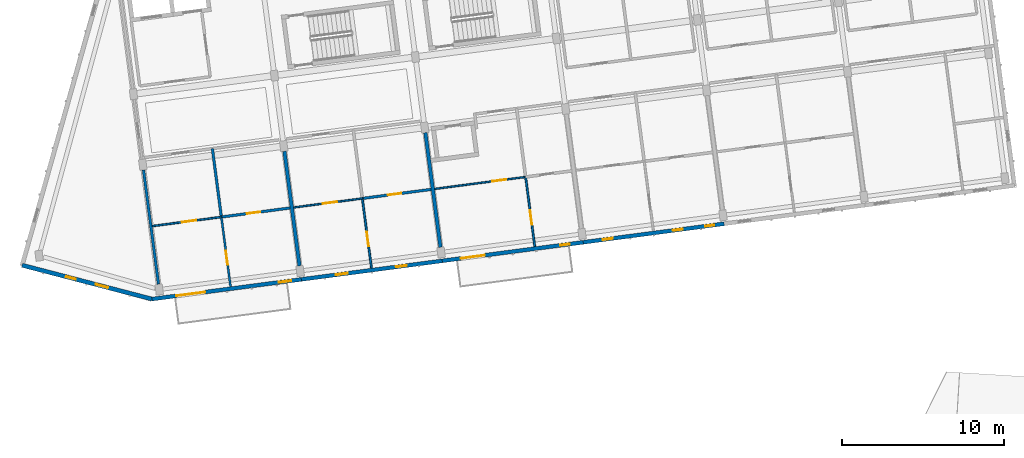
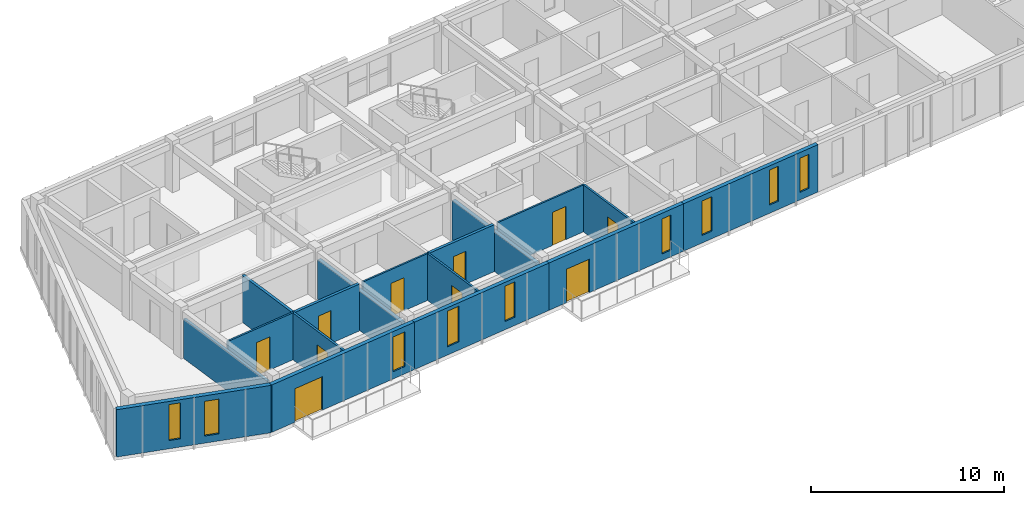
# One storey, part 11 of 34: 17 walls, 10 doors, 9 windows, 19 openings.
"""IFC4 building model written with IfcOpenShell, lengths in metres."""

from ifc_helpers import new_model, si_unit, direction, frame, frame_2d, origin, place, context, subcontext, project, spatial, rectangle, extrude, material, layer, layer_set, type_object, element, fill, save


model = new_model("IFC4")

# Units and contexts
model_context = context("Model", 3, precision=1e-05, world=origin(), true_north=direction((0.0, 1.0)))
body_context = subcontext(model_context, "Body", "Model", "MODEL_VIEW")
ifc_project = project(units=[si_unit("LENGTHUNIT", "METRE"), si_unit("AREAUNIT", "SQUARE_METRE"), si_unit("VOLUMEUNIT", "CUBIC_METRE"), si_unit("PLANEANGLEUNIT", "RADIAN"), si_unit("MASSUNIT", "GRAM", prefix="KILO")], contexts=[model_context])

# Site, building, storey
site_placement = place(None, origin())
site = spatial("IfcSite", under=ifc_project, at=site_placement, CompositionType="ELEMENT")
building_placement = place(site_placement, origin())
building = spatial("IfcBuilding", under=site, at=building_placement, Name="Kestramere Prow Commons", CompositionType="ELEMENT")
storey_placement = place(building_placement, frame((0.0, 0.0, 34.39990234375)))
storey = spatial("IfcBuildingStorey", under=building, at=storey_placement, Name="L10", CompositionType="ELEMENT", Elevation=34.39990234375)

# Wall, openings, windows
ifc_material_1 = material(Name="Weathered Zinc-Titanium Standing-Seam Cladding")
ifc_layer_1 = layer(ifc_material_1, 0.260009765625)
ifc_layer_set_1 = layer_set([ifc_layer_1], Name="Weathered Zinc-Titanium Standing-Seam Cladding")
wall_type_1 = type_object("IfcWallType", Name="EW-PROW-260", PredefinedType="SOLIDWALL", material=ifc_layer_set_1)
wall_1_placement = place(storey_placement, frame((10.748046875, 71.410888671875, 0.0), z_axis=(0.0, 0.0, 1.0), x_axis=(-0.967694955113, 0.252123925577, 0.0)))
wall_1 = element("IfcWall", 1, at=wall_1_placement, inside=storey, type_object=wall_type_1, Name="Block A L10 PRW-S Facet Wall", PredefinedType="SOLIDWALL", context=body_context, shape_type="SweptSolid", body=[
    extrude(rectangle(XDim=8.305419921875, YDim=0.260009765625, at=frame_2d((4.15283203125, 0.0))), origin(), (0.0, 0.0, 1.0), 3.0),
])
opening_1_placement = place(wall_1_placement, frame((2.81005859375, 0.0, 0.449951171875)))
opening_1 = element("IfcOpeningElement", 2, at=opening_1_placement, cuts=wall_1, Name="Opening WN-11", PredefinedType="OPENING", context=body_context, shape_type="SweptSolid", body=[
    extrude(rectangle(XDim=0.780029296875, YDim=2.199951171875, at=frame_2d((0.39013671875, 1.10009765625))), frame((0.0, 0.14501953125, 0.0), z_axis=(0.0, -1.0, 0.0), x_axis=(1.0, 0.0, 0.0)), (0.0, 0.0, 1.0), 0.2900390625),
])
opening_2_placement = place(wall_1_placement, frame((4.875244140625, 0.0, 0.52001953125)))
opening_2 = element("IfcOpeningElement", 3, at=opening_2_placement, cuts=wall_1, Name="Opening WN-03", PredefinedType="OPENING", context=body_context, shape_type="SweptSolid", body=[
    extrude(rectangle(XDim=0.6201171875, YDim=2.280029296875, at=frame_2d((0.31005859375, 1.14013671875))), frame((0.0, 0.14501953125, 0.0), z_axis=(0.0, -1.0, 0.0), x_axis=(1.0, 0.0, 0.0)), (0.0, 0.0, 1.0), 0.2900390625),
])
ifc_material_2 = material(Name="Low-E Laminated Double Glazing", Category="glass")
window_type_1 = type_object("IfcWindowType", Name="WN-NAR-620A", PartitioningType="SINGLE_PANEL", PredefinedType="WINDOW", material=ifc_material_2)
window_1_placement = place(opening_2_placement, origin())
window_1 = element("IfcWindow", 4, at=window_1_placement, inside=storey, type_object=window_type_1, Name="WN-A-L10-PRW-S-1", OverallHeight=2.280029296875, OverallWidth=0.6201171875, PartitioningType="SINGLE_PANEL", PredefinedType="WINDOW", context=body_context, shape_type="SweptSolid", body=[
    extrude(rectangle(XDim=0.6201171875, YDim=2.280029296875, at=frame_2d((0.31005859375, 1.14013671875))), frame((0.0, 0.030029296875, 0.0), z_axis=(0.0, -1.0, 0.0), x_axis=(1.0, 0.0, 0.0)), (0.0, 0.0, 1.0), 0.06005859375),
])
fill(opening_2, window_1)
window_type_2 = type_object("IfcWindowType", Name="WN-NAR-780A", PartitioningType="SINGLE_PANEL", PredefinedType="WINDOW", material=ifc_material_2)
window_2_placement = place(opening_1_placement, origin())
window_2 = element("IfcWindow", 5, at=window_2_placement, inside=storey, type_object=window_type_2, Name="WN-A-L10-PRW-S-0", OverallHeight=2.199951171875, OverallWidth=0.780029296875, PartitioningType="SINGLE_PANEL", PredefinedType="WINDOW", context=body_context, shape_type="SweptSolid", body=[
    extrude(rectangle(XDim=0.780029296875, YDim=2.199951171875, at=frame_2d((0.39013671875, 1.10009765625))), frame((0.0, 0.030029296875, 0.0), z_axis=(0.0, -1.0, 0.0), x_axis=(1.0, 0.0, 0.0)), (0.0, 0.0, 1.0), 0.06005859375),
])
fill(opening_1, window_2)

# Wall, openings, door, window
ifc_material_3 = material(Name="Fluoropolymer Standing-Seam Zinc-Aluminium Cladding", Category="aluminium")
ifc_layer_2 = layer(ifc_material_3, 0.239990234375)
ifc_layer_set_2 = layer_set([ifc_layer_2], Name="Fluoropolymer Standing-Seam Zinc-Aluminium Cladding")
wall_type_2 = type_object("IfcWallType", Name="EW-SEAM-240", PredefinedType="SOLIDWALL", material=ifc_layer_set_2)
wall_2_placement = place(storey_placement, frame((19.9931640625, 72.628173828125, 0.0), z_axis=(0.0, 0.0, 1.0), x_axis=(-0.991442885224, -0.130541201693, 0.0)))
wall_2 = element("IfcWall", 6, at=wall_2_placement, inside=storey, type_object=wall_type_2, Name="Block A L10 South Standing-Seam Wall 1", PredefinedType="SOLIDWALL", context=body_context, shape_type="SweptSolid", body=[
    extrude(rectangle(XDim=9.324951171875, YDim=0.239990234375, at=frame_2d((4.66259765625, 0.0))), origin(), (0.0, 0.0, 1.0), 3.0),
])
opening_3_placement = place(wall_2_placement, frame((5.9970703125, 0.0, 0.0)))
opening_3 = element("IfcOpeningElement", 7, at=opening_3_placement, cuts=wall_2, Name="Opening GD-BAL-02", PredefinedType="OPENING", context=body_context, shape_type="SweptSolid", body=[
    extrude(rectangle(XDim=1.800048828125, YDim=2.1201171875, at=frame_2d((0.89990234375, 1.06005859375))), frame((0.0, 0.135009765625, 0.0), z_axis=(0.0, -1.0, 0.0), x_axis=(1.0, 0.0, 0.0)), (0.0, 0.0, 1.0), 0.27001953125),
])
opening_4_placement = place(wall_2_placement, frame((0.6298828125, 0.0, 0.4599609375)))
opening_4 = element("IfcOpeningElement", 8, at=opening_4_placement, cuts=wall_2, Name="Opening WN-11", PredefinedType="OPENING", context=body_context, shape_type="SweptSolid", body=[
    extrude(rectangle(XDim=0.780029296875, YDim=2.199951171875, at=frame_2d((0.39013671875, 1.10009765625))), frame((0.0, 0.135009765625, 0.0), z_axis=(0.0, -1.0, 0.0), x_axis=(1.0, 0.0, 0.0)), (0.0, 0.0, 1.0), 0.27001953125),
])
ifc_material_4 = material(Name="Thermally-Broken Anodised Aluminium Glazed", Category="aluminium")
door_type_1 = type_object("IfcDoorType", Name="GD-BAL-1800", OperationType="SLIDING_TO_LEFT", PredefinedType="DOOR", material=ifc_material_4)
door_1_placement = place(opening_3_placement, origin())
door_1 = element("IfcDoor", 9, at=door_1_placement, inside=storey, type_object=door_type_1, Name="Block A L10 Balcony Door 1", OperationType="SLIDING_TO_LEFT", OverallHeight=2.1201171875, OverallWidth=1.800048828125, PredefinedType="DOOR", context=body_context, shape_type="SweptSolid", body=[
    extrude(rectangle(XDim=1.800048828125, YDim=2.1201171875, at=frame_2d((0.89990234375, 1.06005859375))), frame((0.0, 0.02490234375, 0.0), z_axis=(0.0, -1.0, 0.0), x_axis=(1.0, 0.0, 0.0)), (0.0, 0.0, 1.0), 0.050048828125),
])
fill(opening_3, door_1)
window_3_placement = place(opening_4_placement, origin())
window_3 = element("IfcWindow", 10, at=window_3_placement, inside=storey, type_object=window_type_2, Name="WN-A-L10-SR-0", OverallHeight=2.199951171875, OverallWidth=0.780029296875, PartitioningType="SINGLE_PANEL", PredefinedType="WINDOW", context=body_context, shape_type="SweptSolid", body=[
    extrude(rectangle(XDim=0.780029296875, YDim=2.199951171875, at=frame_2d((0.39013671875, 1.10009765625))), frame((0.0, 0.030029296875, 0.0), z_axis=(0.0, -1.0, 0.0), x_axis=(1.0, 0.0, 0.0)), (0.0, 0.0, 1.0), 0.06005859375),
])
fill(opening_4, window_3)

# Wall, openings, windows
wall_3_placement = place(storey_placement, frame((28.718017578125, 73.77685546875, 0.0), z_axis=(0.0, 0.0, 1.0), x_axis=(-0.991444377792, -0.130529865336, 0.0)))
wall_3 = element("IfcWall", 11, at=wall_3_placement, inside=storey, type_object=wall_type_2, Name="Block A L10 South Standing-Seam Wall 2", PredefinedType="SOLIDWALL", context=body_context, shape_type="SweptSolid", body=[
    extrude(rectangle(XDim=8.800048828125, YDim=0.239990234375, at=frame_2d((4.39990234375, 0.0))), origin(), (0.0, 0.0, 1.0), 3.0),
])
opening_5_placement = place(wall_3_placement, frame((2.211181640625, 0.0, 0.52001953125)))
opening_5 = element("IfcOpeningElement", 12, at=opening_5_placement, cuts=wall_3, Name="Opening WN-06", PredefinedType="OPENING", context=body_context, shape_type="SweptSolid", body=[
    extrude(rectangle(XDim=0.679931640625, YDim=2.239990234375, at=frame_2d((0.33984375, 1.1201171875))), frame((0.0, 0.135009765625, 0.0), z_axis=(0.0, -1.0, 0.0), x_axis=(1.0, 0.0, 0.0)), (0.0, 0.0, 1.0), 0.27001953125),
])
opening_6_placement = place(wall_3_placement, frame((5.89794921875, 0.0, 0.52001953125)))
opening_6 = element("IfcOpeningElement", 13, at=opening_6_placement, cuts=wall_3, Name="Opening WN-09", PredefinedType="OPENING", context=body_context, shape_type="SweptSolid", body=[
    extrude(rectangle(XDim=0.739990234375, YDim=2.260009765625, at=frame_2d((0.3701171875, 1.1298828125))), frame((0.0, 0.135009765625, 0.0), z_axis=(0.0, -1.0, 0.0), x_axis=(1.0, 0.0, 0.0)), (0.0, 0.0, 1.0), 0.27001953125),
])
window_type_3 = type_object("IfcWindowType", Name="WN-NAR-680A", PartitioningType="SINGLE_PANEL", PredefinedType="WINDOW", material=ifc_material_2)
window_4_placement = place(opening_5_placement, origin())
window_4 = element("IfcWindow", 14, at=window_4_placement, inside=storey, type_object=window_type_3, Name="WN-A-L10-S-1-00", OverallHeight=2.239990234375, OverallWidth=0.679931640625, PartitioningType="SINGLE_PANEL", PredefinedType="WINDOW", context=body_context, shape_type="SweptSolid", body=[
    extrude(rectangle(XDim=0.679931640625, YDim=2.239990234375, at=frame_2d((0.33984375, 1.1201171875))), frame((0.0, 0.030029296875, 0.0), z_axis=(0.0, -1.0, 0.0), x_axis=(1.0, 0.0, 0.0)), (0.0, 0.0, 1.0), 0.06005859375),
])
fill(opening_5, window_4)
window_type_4 = type_object("IfcWindowType", Name="WN-NAR-740A", PartitioningType="SINGLE_PANEL", PredefinedType="WINDOW", material=ifc_material_2)
window_5_placement = place(opening_6_placement, origin())
window_5 = element("IfcWindow", 15, at=window_5_placement, inside=storey, type_object=window_type_4, Name="WN-A-L10-S-1-10", OverallHeight=2.260009765625, OverallWidth=0.739990234375, PartitioningType="SINGLE_PANEL", PredefinedType="WINDOW", context=body_context, shape_type="SweptSolid", body=[
    extrude(rectangle(XDim=0.739990234375, YDim=2.260009765625, at=frame_2d((0.3701171875, 1.1298828125))), frame((0.0, 0.030029296875, 0.0), z_axis=(0.0, -1.0, 0.0), x_axis=(1.0, 0.0, 0.0)), (0.0, 0.0, 1.0), 0.06005859375),
])
fill(opening_6, window_5)

# Wall, openings, door, window
wall_4_placement = place(storey_placement, frame((37.442626953125, 74.92529296875, 0.0), z_axis=(0.0, 0.0, 1.0), x_axis=(-0.991447495205, -0.130506184728, 0.0)))
wall_4 = element("IfcWall", 16, at=wall_4_placement, inside=storey, type_object=wall_type_2, Name="Block A L10 South Standing-Seam Wall 3", PredefinedType="SOLIDWALL", context=body_context, shape_type="SweptSolid", body=[
    extrude(rectangle(XDim=8.7998046875, YDim=0.239990234375, at=frame_2d((4.39990234375, 0.0))), origin(), (0.0, 0.0, 1.0), 3.0),
])
opening_7_placement = place(wall_4_placement, frame((6.14697265625, 0.0, 0.0)))
opening_7 = element("IfcOpeningElement", 17, at=opening_7_placement, cuts=wall_4, Name="Opening GD-BAL-01", PredefinedType="OPENING", context=body_context, shape_type="SweptSolid", body=[
    extrude(rectangle(XDim=1.5, YDim=2.1201171875, at=frame_2d((0.75, 1.06005859375))), frame((0.0, 0.135009765625, 0.0), z_axis=(0.0, -1.0, 0.0), x_axis=(1.0, 0.0, 0.0)), (0.0, 0.0, 1.0), 0.27001953125),
])
opening_8_placement = place(wall_4_placement, frame((0.830078125, 0.0, 0.419921875)))
opening_8 = element("IfcOpeningElement", 18, at=opening_8_placement, cuts=wall_4, Name="Opening WN-02", PredefinedType="OPENING", context=body_context, shape_type="SweptSolid", body=[
    extrude(rectangle(XDim=0.60009765625, YDim=2.219970703125, at=frame_2d((0.300048828125, 1.10986328125))), frame((0.0, 0.135009765625, 0.0), z_axis=(0.0, -1.0, 0.0), x_axis=(1.0, 0.0, 0.0)), (0.0, 0.0, 1.0), 0.27001953125),
])
door_type_2 = type_object("IfcDoorType", Name="GD-BAL-1500", OperationType="SLIDING_TO_RIGHT", PredefinedType="DOOR", material=ifc_material_4)
door_2_placement = place(opening_7_placement, origin())
door_2 = element("IfcDoor", 19, at=door_2_placement, inside=storey, type_object=door_type_2, Name="Block A L10 Balcony Door 3", OperationType="SLIDING_TO_RIGHT", OverallHeight=2.1201171875, OverallWidth=1.5, PredefinedType="DOOR", context=body_context, shape_type="SweptSolid", body=[
    extrude(rectangle(XDim=1.5, YDim=2.1201171875, at=frame_2d((0.75, 1.06005859375))), frame((0.0, 0.02490234375, 0.0), z_axis=(0.0, -1.0, 0.0), x_axis=(1.0, 0.0, 0.0)), (0.0, 0.0, 1.0), 0.050048828125),
])
fill(opening_7, door_2)
window_type_5 = type_object("IfcWindowType", Name="WN-NAR-600A", PartitioningType="SINGLE_PANEL", PredefinedType="WINDOW", material=ifc_material_2)
window_6_placement = place(opening_8_placement, origin())
window_6 = element("IfcWindow", 20, at=window_6_placement, inside=storey, type_object=window_type_5, Name="WN-A-L10-SR-2", OverallHeight=2.219970703125, OverallWidth=0.60009765625, PartitioningType="SINGLE_PANEL", PredefinedType="WINDOW", context=body_context, shape_type="SweptSolid", body=[
    extrude(rectangle(XDim=0.60009765625, YDim=2.219970703125, at=frame_2d((0.300048828125, 1.10986328125))), frame((0.0, 0.030029296875, 0.0), z_axis=(0.0, -1.0, 0.0), x_axis=(1.0, 0.0, 0.0)), (0.0, 0.0, 1.0), 0.06005859375),
])
fill(opening_8, window_6)

# Wall, openings, windows
wall_5_placement = place(storey_placement, frame((46.16748046875, 76.073974609375, 0.0), z_axis=(0.0, 0.0, 1.0), x_axis=(-0.991444377792, -0.130529865336, 0.0)))
wall_5 = element("IfcWall", 21, at=wall_5_placement, inside=storey, type_object=wall_type_2, Name="Block A L10 South Standing-Seam Wall 4", PredefinedType="SOLIDWALL", context=body_context, shape_type="SweptSolid", body=[
    extrude(rectangle(XDim=8.800048828125, YDim=0.239990234375, at=frame_2d((4.39990234375, 0.0))), origin(), (0.0, 0.0, 1.0), 3.0),
])
opening_9_placement = place(wall_5_placement, frame((0.610107421875, 0.0, 0.47998046875)))
opening_9 = element("IfcOpeningElement", 22, at=opening_9_placement, cuts=wall_5, Name="Opening WN-01", PredefinedType="OPENING", context=body_context, shape_type="SweptSolid", body=[
    extrude(rectangle(XDim=0.580078125, YDim=2.159912109375, at=frame_2d((0.2900390625, 1.080078125))), frame((0.0, 0.135009765625, 0.0), z_axis=(0.0, -1.0, 0.0), x_axis=(1.0, 0.0, 0.0)), (0.0, 0.0, 1.0), 0.27001953125),
])
opening_10_placement = place(wall_5_placement, frame((2.595947265625, 0.0, 0.52001953125)))
opening_10 = element("IfcOpeningElement", 23, at=opening_10_placement, cuts=wall_5, Name="Opening WN-02", PredefinedType="OPENING", context=body_context, shape_type="SweptSolid", body=[
    extrude(rectangle(XDim=0.60009765625, YDim=2.219970703125, at=frame_2d((0.300048828125, 1.10986328125))), frame((0.0, 0.135009765625, 0.0), z_axis=(0.0, -1.0, 0.0), x_axis=(1.0, 0.0, 0.0)), (0.0, 0.0, 1.0), 0.27001953125),
])
opening_11_placement = place(wall_5_placement, frame((6.948974609375, 0.0, 0.47998046875)))
opening_11 = element("IfcOpeningElement", 24, at=opening_11_placement, cuts=wall_5, Name="Opening WN-04", PredefinedType="OPENING", context=body_context, shape_type="SweptSolid", body=[
    extrude(rectangle(XDim=0.639892578125, YDim=2.179931640625, at=frame_2d((0.31982421875, 1.08984375))), frame((0.0, 0.135009765625, 0.0), z_axis=(0.0, -1.0, 0.0), x_axis=(1.0, 0.0, 0.0)), (0.0, 0.0, 1.0), 0.27001953125),
])
window_type_6 = type_object("IfcWindowType", Name="WN-NAR-580A", PartitioningType="SINGLE_PANEL", PredefinedType="WINDOW", material=ifc_material_2)
window_7_placement = place(opening_9_placement, origin())
window_7 = element("IfcWindow", 25, at=window_7_placement, inside=storey, type_object=window_type_6, Name="WN-A-L10-S-3-00", OverallHeight=2.159912109375, OverallWidth=0.580078125, PartitioningType="SINGLE_PANEL", PredefinedType="WINDOW", context=body_context, shape_type="SweptSolid", body=[
    extrude(rectangle(XDim=0.580078125, YDim=2.159912109375, at=frame_2d((0.2900390625, 1.080078125))), frame((0.0, 0.030029296875, 0.0), z_axis=(0.0, -1.0, 0.0), x_axis=(1.0, 0.0, 0.0)), (0.0, 0.0, 1.0), 0.06005859375),
])
fill(opening_9, window_7)
window_8_placement = place(opening_10_placement, origin())
window_8 = element("IfcWindow", 26, at=window_8_placement, inside=storey, type_object=window_type_5, Name="WN-A-L10-S-3-01", OverallHeight=2.219970703125, OverallWidth=0.60009765625, PartitioningType="SINGLE_PANEL", PredefinedType="WINDOW", context=body_context, shape_type="SweptSolid", body=[
    extrude(rectangle(XDim=0.60009765625, YDim=2.219970703125, at=frame_2d((0.300048828125, 1.10986328125))), frame((0.0, 0.030029296875, 0.0), z_axis=(0.0, -1.0, 0.0), x_axis=(1.0, 0.0, 0.0)), (0.0, 0.0, 1.0), 0.06005859375),
])
fill(opening_10, window_8)
window_type_7 = type_object("IfcWindowType", Name="WN-NAR-640A", PartitioningType="SINGLE_PANEL", PredefinedType="WINDOW", material=ifc_material_2)
window_9_placement = place(opening_11_placement, origin())
window_9 = element("IfcWindow", 27, at=window_9_placement, inside=storey, type_object=window_type_7, Name="WN-A-L10-S-3-10", OverallHeight=2.179931640625, OverallWidth=0.639892578125, PartitioningType="SINGLE_PANEL", PredefinedType="WINDOW", context=body_context, shape_type="SweptSolid", body=[
    extrude(rectangle(XDim=0.639892578125, YDim=2.179931640625, at=frame_2d((0.31982421875, 1.08984375))), frame((0.0, 0.030029296875, 0.0), z_axis=(0.0, -1.0, 0.0), x_axis=(1.0, 0.0, 0.0)), (0.0, 0.0, 1.0), 0.06005859375),
])
fill(opening_11, window_9)

# Wall, opening, door
ifc_material_5 = material(Name="Gypsum Acoustic Drywall")
ifc_layer_3 = layer(ifc_material_5, 0.10009765625)
ifc_layer_set_3 = layer_set([ifc_layer_3], Name="Gypsum Acoustic Drywall")
wall_type_3 = type_object("IfcWallType", Name="W-PART-100", PredefinedType="PARTITIONING", material=ifc_layer_set_3)
wall_6_placement = place(storey_placement, frame((19.523193359375, 77.079833984375, 0.0), z_axis=(0.0, 0.0, 1.0), x_axis=(0.991444014242, 0.130532626667, 0.0)))
wall_6 = element("IfcWall", 28, at=wall_6_placement, inside=storey, type_object=wall_type_3, Name="Interior Partition PW-A-L10-MIDS1-1", PredefinedType="PARTITIONING", context=body_context, shape_type="SweptSolid", body=[
    extrude(rectangle(XDim=4.284912109375, YDim=0.10009765625, at=frame_2d((2.142578125, 0.0))), origin(), (0.0, 0.0, 1.0), 2.97021484375),
])
opening_12_placement = place(wall_6_placement, frame((1.824951171875, 0.0, 0.0)))
opening_12 = element("IfcOpeningElement", 29, at=opening_12_placement, cuts=wall_6, Name="Opening ID-10", PredefinedType="OPENING", context=body_context, shape_type="SweptSolid", body=[
    extrude(rectangle(XDim=0.8798828125, YDim=2.10009765625, at=frame_2d((0.43994140625, 1.050048828125))), frame((0.0, 0.06494140625, 0.0), z_axis=(0.0, -1.0, 0.0), x_axis=(1.0, 0.0, 0.0)), (0.0, 0.0, 1.0), 0.130126953125),
])
ifc_material_6 = material(Name="Engineered Timber Bedroom Door", Category="wood")
door_type_3 = type_object("IfcDoorType", Name="D-RM-03", OperationType="NOTDEFINED", PredefinedType="DOOR", material=ifc_material_6)
door_3_placement = place(opening_12_placement, origin())
door_3 = element("IfcDoor", 30, at=door_3_placement, inside=storey, type_object=door_type_3, Name="Interior Door DR-A-L10-KL-S1", OperationType="SINGLE_SWING_RIGHT", OverallHeight=2.10009765625, OverallWidth=0.8798828125, PredefinedType="DOOR", context=body_context, shape_type="SweptSolid", body=[
    extrude(rectangle(XDim=0.8798828125, YDim=2.10009765625, at=frame_2d((0.43994140625, 1.050048828125))), frame((0.0, 0.02490234375, 0.0), z_axis=(0.0, -1.0, 0.0), x_axis=(1.0, 0.0, 0.0)), (0.0, 0.0, 1.0), 0.050048828125),
])
fill(opening_12, door_3)

wall_7_placement = place(storey_placement, frame((28.247802734375, 78.228515625, 0.0), z_axis=(0.0, 0.0, 1.0), x_axis=(0.991443905556, 0.130533452169, 0.0)))
wall_7 = element("IfcWall", 31, at=wall_7_placement, inside=storey, type_object=wall_type_3, Name="Interior Partition PW-A-L10-MIDS1-2", PredefinedType="PARTITIONING", context=body_context, shape_type="SweptSolid", body=[
    extrude(rectangle(XDim=5.68017578125, YDim=0.10009765625, at=frame_2d((2.840087890625, 0.0))), origin(), (0.0, 0.0, 1.0), 2.97021484375),
])
opening_13_placement = place(wall_7_placement, frame((3.594970703125, 0.0, 0.0)))
opening_13 = element("IfcOpeningElement", 32, at=opening_13_placement, cuts=wall_7, Name="Opening ID-10", PredefinedType="OPENING", context=body_context, shape_type="SweptSolid", body=[
    extrude(rectangle(XDim=0.8798828125, YDim=2.10009765625, at=frame_2d((0.43994140625, 1.050048828125))), frame((0.0, 0.06494140625, 0.0), z_axis=(0.0, -1.0, 0.0), x_axis=(1.0, 0.0, 0.0)), (0.0, 0.0, 1.0), 0.130126953125),
])
door_4_placement = place(opening_13_placement, origin())
door_4 = element("IfcDoor", 33, at=door_4_placement, inside=storey, type_object=door_type_3, Name="Interior Door DR-A-L10-KL-S2", OperationType="SINGLE_SWING_RIGHT", OverallHeight=2.10009765625, OverallWidth=0.8798828125, PredefinedType="DOOR", context=body_context, shape_type="SweptSolid", body=[
    extrude(rectangle(XDim=0.8798828125, YDim=2.10009765625, at=frame_2d((0.43994140625, 1.050048828125))), frame((0.0, 0.02490234375, 0.0), z_axis=(0.0, -1.0, 0.0), x_axis=(1.0, 0.0, 0.0)), (0.0, 0.0, 1.0), 0.050048828125),
])
fill(opening_13, door_4)

ifc_layer_4 = layer(ifc_material_5, 0.110107421875)
ifc_layer_set_4 = layer_set([ifc_layer_4], Name="Gypsum Acoustic Drywall")
wall_type_4 = type_object("IfcWallType", Name="W-PART-110", PredefinedType="PARTITIONING", material=ifc_layer_set_4)
wall_8_placement = place(storey_placement, frame((10.773681640625, 75.927978515625, 0.0), z_axis=(0.0, 0.0, 1.0), x_axis=(0.991447160489, 0.130508727519, 0.0)))
wall_8 = element("IfcWall", 34, at=wall_8_placement, inside=storey, type_object=wall_type_4, Name="Interior Partition PW-A-L10-MIDS1-0", PredefinedType="PARTITIONING", context=body_context, shape_type="SweptSolid", body=[
    extrude(rectangle(XDim=4.31005859375, YDim=0.110107421875, at=frame_2d((2.155029296875, 0.0))), origin(), (0.0, 0.0, 1.0), 2.97021484375),
])
opening_14_placement = place(wall_8_placement, frame((1.85009765625, 0.0, 0.0)))
opening_14 = element("IfcOpeningElement", 35, at=opening_14_placement, cuts=wall_8, Name="Opening ID-08", PredefinedType="OPENING", context=body_context, shape_type="SweptSolid", body=[
    extrude(rectangle(XDim=0.89990234375, YDim=2.10009765625, at=frame_2d((0.449951171875, 1.050048828125))), frame((0.0, 0.070068359375, 0.0), z_axis=(0.0, -1.0, 0.0), x_axis=(1.0, 0.0, 0.0)), (0.0, 0.0, 1.0), 0.14013671875),
])
ifc_material_7 = material(Name="Engineered Timber Flush Door", Category="wood")
door_type_4 = type_object("IfcDoorType", Name="D-RM-01", OperationType="NOTDEFINED", PredefinedType="DOOR", material=ifc_material_7)
door_5_placement = place(opening_14_placement, origin())
door_5 = element("IfcDoor", 36, at=door_5_placement, inside=storey, type_object=door_type_4, Name="Interior Door DR-A-L10-KL-S0", OperationType="SINGLE_SWING_RIGHT", OverallHeight=2.10009765625, OverallWidth=0.89990234375, PredefinedType="DOOR", context=body_context, shape_type="SweptSolid", body=[
    extrude(rectangle(XDim=0.89990234375, YDim=2.10009765625, at=frame_2d((0.449951171875, 1.050048828125))), frame((0.0, 0.02490234375, 0.0), z_axis=(0.0, -1.0, 0.0), x_axis=(1.0, 0.0, 0.0)), (0.0, 0.0, 1.0), 0.050048828125),
])
fill(opening_14, door_5)

ifc_material_8 = material(Name="Lightweight Blockwork and Plaster", Category="masonry")
ifc_layer_5 = layer(ifc_material_8, 0.1201171875)
ifc_layer_set_5 = layer_set([ifc_layer_5], Name="Lightweight Blockwork and Plaster")
wall_type_5 = type_object("IfcWallType", Name="W-PART-120", PredefinedType="PARTITIONING", material=ifc_layer_set_5)
wall_9_placement = place(storey_placement, frame((24.337890625, 73.336181640625, 0.0), z_axis=(0.0, 0.0, 1.0), x_axis=(-0.130505442025, 0.991447592968, 0.0)))
wall_9 = element("IfcWall", 37, at=wall_9_placement, inside=storey, type_object=wall_type_5, Name="Interior Partition PW-A-L10-LB-S1", PredefinedType="PARTITIONING", context=body_context, shape_type="SweptSolid", body=[
    extrude(rectangle(XDim=4.340087890625, YDim=0.1201171875, at=frame_2d((2.169921875, 0.0))), origin(), (0.0, 0.0, 1.0), 2.97021484375),
])
opening_15_placement = place(wall_9_placement, frame((1.35009765625, 0.0, 0.0)))
opening_15 = element("IfcOpeningElement", 38, at=opening_15_placement, cuts=wall_9, Name="Opening ID-08", PredefinedType="OPENING", context=body_context, shape_type="SweptSolid", body=[
    extrude(rectangle(XDim=0.89990234375, YDim=2.10009765625, at=frame_2d((0.449951171875, 1.050048828125))), frame((0.0, 0.074951171875, 0.0), z_axis=(0.0, -1.0, 0.0), x_axis=(1.0, 0.0, 0.0)), (0.0, 0.0, 1.0), 0.150146484375),
])
door_6_placement = place(opening_15_placement, origin())
door_6 = element("IfcDoor", 39, at=door_6_placement, inside=storey, type_object=door_type_4, Name="Interior Door DR-A-L10-BED-S1", OperationType="SINGLE_SWING_RIGHT", OverallHeight=2.10009765625, OverallWidth=0.89990234375, PredefinedType="DOOR", context=body_context, shape_type="SweptSolid", body=[
    extrude(rectangle(XDim=0.89990234375, YDim=2.10009765625, at=frame_2d((0.449951171875, 1.050048828125))), frame((0.0, 0.02490234375, 0.0), z_axis=(0.0, -1.0, 0.0), x_axis=(1.0, 0.0, 0.0)), (0.0, 0.0, 1.0), 0.050048828125),
])
fill(opening_15, door_6)

wall_10_placement = place(storey_placement, frame((34.44580078125, 74.6669921875, 0.0), z_axis=(0.0, 0.0, 1.0), x_axis=(-0.130505442025, 0.991447592968, 0.0)))
wall_10 = element("IfcWall", 40, at=wall_10_placement, inside=storey, type_object=wall_type_5, Name="Interior Partition PW-A-L10-LB-S2", PredefinedType="PARTITIONING", context=body_context, shape_type="SweptSolid", body=[
    extrude(rectangle(XDim=4.340087890625, YDim=0.1201171875, at=frame_2d((2.169921875, 0.0))), origin(), (0.0, 0.0, 1.0), 2.97021484375),
])
opening_16_placement = place(wall_10_placement, frame((1.35009765625, 0.0, 0.0)))
opening_16 = element("IfcOpeningElement", 41, at=opening_16_placement, cuts=wall_10, Name="Opening ID-08", PredefinedType="OPENING", context=body_context, shape_type="SweptSolid", body=[
    extrude(rectangle(XDim=0.89990234375, YDim=2.10009765625, at=frame_2d((0.449951171875, 1.050048828125))), frame((0.0, 0.074951171875, 0.0), z_axis=(0.0, -1.0, 0.0), x_axis=(1.0, 0.0, 0.0)), (0.0, 0.0, 1.0), 0.150146484375),
])
door_7_placement = place(opening_16_placement, origin())
door_7 = element("IfcDoor", 42, at=door_7_placement, inside=storey, type_object=door_type_4, Name="Interior Door DR-A-L10-BED-S2", OperationType="SINGLE_SWING_LEFT", OverallHeight=2.10009765625, OverallWidth=0.89990234375, PredefinedType="DOOR", context=body_context, shape_type="SweptSolid", body=[
    extrude(rectangle(XDim=0.89990234375, YDim=2.10009765625, at=frame_2d((0.449951171875, 1.050048828125))), frame((0.0, 0.02490234375, 0.0), z_axis=(0.0, -1.0, 0.0), x_axis=(1.0, 0.0, 0.0)), (0.0, 0.0, 1.0), 0.050048828125),
])
fill(opening_16, door_7)

ifc_layer_6 = layer(ifc_material_8, 0.1298828125)
ifc_layer_set_6 = layer_set([ifc_layer_6], Name="Lightweight Blockwork and Plaster")
wall_type_6 = type_object("IfcWallType", Name="W-PART-130", PredefinedType="PARTITIONING", material=ifc_layer_set_6)
wall_11_placement = place(storey_placement, frame((15.61328125, 72.187744140625, 0.0), z_axis=(0.0, 0.0, 1.0), x_axis=(-0.130512720879, 0.991446634816, 0.0)))
wall_11 = element("IfcWall", 43, at=wall_11_placement, inside=storey, type_object=wall_type_6, Name="Interior Partition PW-A-L10-LB-S0", PredefinedType="PARTITIONING", context=body_context, shape_type="SweptSolid", body=[
    extrude(rectangle(XDim=4.33984375, YDim=0.1298828125, at=frame_2d((2.169921875, 0.0))), origin(), (0.0, 0.0, 1.0), 2.97021484375),
])
opening_17_placement = place(wall_11_placement, frame((1.35009765625, 0.0, 0.0)))
opening_17 = element("IfcOpeningElement", 44, at=opening_17_placement, cuts=wall_11, Name="Opening ID-10", PredefinedType="OPENING", context=body_context, shape_type="SweptSolid", body=[
    extrude(rectangle(XDim=0.8798828125, YDim=2.10009765625, at=frame_2d((0.43994140625, 1.050048828125))), frame((0.0, 0.079833984375, 0.0), z_axis=(0.0, -1.0, 0.0), x_axis=(1.0, 0.0, 0.0)), (0.0, 0.0, 1.0), 0.159912109375),
])
door_8_placement = place(opening_17_placement, origin())
door_8 = element("IfcDoor", 45, at=door_8_placement, inside=storey, type_object=door_type_3, Name="Interior Door DR-A-L10-BED-S0", OperationType="SINGLE_SWING_LEFT", OverallHeight=2.10009765625, OverallWidth=0.8798828125, PredefinedType="DOOR", context=body_context, shape_type="SweptSolid", body=[
    extrude(rectangle(XDim=0.8798828125, YDim=2.10009765625, at=frame_2d((0.43994140625, 1.050048828125))), frame((0.0, 0.02490234375, 0.0), z_axis=(0.0, -1.0, 0.0), x_axis=(1.0, 0.0, 0.0)), (0.0, 0.0, 1.0), 0.050048828125),
])
fill(opening_17, door_8)

# Wall
ifc_material_9 = material(Name="Waterproof Sanitary Masonry Wall", Category="masonry")
ifc_layer_7 = layer(ifc_material_9, 0.1650390625)
ifc_layer_set_7 = layer_set([ifc_layer_7], Name="Waterproof Sanitary Masonry Wall")
wall_type_7 = type_object("IfcWallType", Name="W-PLUMB-150", PredefinedType="PLUMBINGWALL", material=ifc_layer_set_7)
wall_12_placement = place(storey_placement, frame((11.15625, 72.33203125, 0.0), z_axis=(0.0, 0.0, 1.0), x_axis=(-0.130526257258, 0.991444852811, 0.0)))
element("IfcWall", 46, at=wall_12_placement, inside=storey, type_object=wall_type_7, Name="Interior Partition PW-A-L10-PRWW-S", PredefinedType="PLUMBINGWALL", context=body_context, shape_type="SweptSolid", body=[
    extrude(rectangle(XDim=7.130126953125, YDim=0.1650390625, at=frame_2d((3.56494140625, 0.0))), origin(), (0.0, 0.0, 1.0), 2.5),
])

# Wall, opening, door
wall_13_placement = place(storey_placement, frame((15.046875, 76.490478515625, 0.0), z_axis=(0.0, 0.0, 1.0), x_axis=(0.991444014242, 0.130532626667, 0.0)))
wall_13 = element("IfcWall", 47, at=wall_13_placement, inside=storey, type_object=wall_type_7, Name="Interior Partition PW-A-L10-MIDS2-0", PredefinedType="PLUMBINGWALL", context=body_context, shape_type="SweptSolid", body=[
    extrude(rectangle(XDim=4.284912109375, YDim=0.1650390625, at=frame_2d((2.142578125, 0.0))), origin(), (0.0, 0.0, 1.0), 2.97021484375),
])
opening_18_placement = place(wall_13_placement, frame((1.60009765625, 0.0, 0.0)))
opening_18 = element("IfcOpeningElement", 48, at=opening_18_placement, cuts=wall_13, Name="Opening ID-11", PredefinedType="OPENING", context=body_context, shape_type="SweptSolid", body=[
    extrude(rectangle(XDim=0.820068359375, YDim=2.080078125, at=frame_2d((0.41015625, 1.0400390625))), frame((0.0, 0.097412109375, 0.0), z_axis=(0.0, -1.0, 0.0), x_axis=(1.0, 0.0, 0.0)), (0.0, 0.0, 1.0), 0.195068359375),
])
ifc_material_10 = material(Name="Moisture-Resistant Timber Bathroom Door", Category="wood")
door_type_5 = type_object("IfcDoorType", Name="D-BT-01", OperationType="NOTDEFINED", PredefinedType="DOOR", material=ifc_material_10)
door_9_placement = place(opening_18_placement, origin())
door_9 = element("IfcDoor", 49, at=door_9_placement, inside=storey, type_object=door_type_5, Name="Interior Door DR-A-L10-BTH-S0", OperationType="SINGLE_SWING_LEFT", OverallHeight=2.080078125, OverallWidth=0.820068359375, PredefinedType="DOOR", context=body_context, shape_type="SweptSolid", body=[
    extrude(rectangle(XDim=0.820068359375, YDim=2.080078125, at=frame_2d((0.41015625, 1.0400390625))), frame((0.0, 0.02490234375, 0.0), z_axis=(0.0, -1.0, 0.0), x_axis=(1.0, 0.0, 0.0)), (0.0, 0.0, 1.0), 0.050048828125),
])
fill(opening_18, door_9)

# Wall
wall_14_placement = place(storey_placement, frame((15.046875, 76.490478515625, 0.0), z_axis=(0.0, 0.0, 1.0), x_axis=(-0.13053438047, 0.991443783336, 0.0)))
element("IfcWall", 50, at=wall_14_placement, inside=storey, type_object=wall_type_7, Name="Interior Partition PW-A-L10-KB-S0", PredefinedType="PLUMBINGWALL", context=body_context, shape_type="SweptSolid", body=[
    extrude(rectangle(XDim=4.27001953125, YDim=0.1650390625, at=frame_2d((2.135009765625, 0.0))), origin(), (0.0, 0.0, 1.0), 2.97021484375),
])

# Wall, opening, door
wall_15_placement = place(storey_placement, frame((23.771484375, 77.63916015625, 0.0), z_axis=(0.0, 0.0, 1.0), x_axis=(0.991444014242, 0.130532626667, 0.0)))
wall_15 = element("IfcWall", 51, at=wall_15_placement, inside=storey, type_object=wall_type_7, Name="Interior Partition PW-A-L10-MIDS2-1", PredefinedType="PLUMBINGWALL", context=body_context, shape_type="SweptSolid", body=[
    extrude(rectangle(XDim=4.284912109375, YDim=0.1650390625, at=frame_2d((2.142578125, 0.0))), origin(), (0.0, 0.0, 1.0), 2.97021484375),
])
opening_19_placement = place(wall_15_placement, frame((1.60009765625, 0.0, 0.0)))
opening_19 = element("IfcOpeningElement", 52, at=opening_19_placement, cuts=wall_15, Name="Opening ID-11", PredefinedType="OPENING", context=body_context, shape_type="SweptSolid", body=[
    extrude(rectangle(XDim=0.820068359375, YDim=2.080078125, at=frame_2d((0.41015625, 1.0400390625))), frame((0.0, 0.097412109375, 0.0), z_axis=(0.0, -1.0, 0.0), x_axis=(1.0, 0.0, 0.0)), (0.0, 0.0, 1.0), 0.195068359375),
])
door_10_placement = place(opening_19_placement, origin())
door_10 = element("IfcDoor", 53, at=door_10_placement, inside=storey, type_object=door_type_5, Name="Interior Door DR-A-L10-BTH-S1", OperationType="SINGLE_SWING_LEFT", OverallHeight=2.080078125, OverallWidth=0.820068359375, PredefinedType="DOOR", context=body_context, shape_type="SweptSolid", body=[
    extrude(rectangle(XDim=0.820068359375, YDim=2.080078125, at=frame_2d((0.41015625, 1.0400390625))), frame((0.0, 0.02490234375, 0.0), z_axis=(0.0, -1.0, 0.0), x_axis=(1.0, 0.0, 0.0)), (0.0, 0.0, 1.0), 0.050048828125),
])
fill(opening_19, door_10)

# Walls
ifc_material_11 = material(Name="Precast concrete C40/50", Category="concrete")
ifc_layer_8 = layer(ifc_material_11, 0.219970703125)
ifc_layer_set_8 = layer_set([ifc_layer_8], Name="Precast concrete C40/50")
wall_type_8 = type_object("IfcWallType", Name="W-XWALL-220", PredefinedType="SHEAR", material=ifc_layer_set_8)
for number, where, z_axis, x_axis, name in (
    (54, (19.88232421875, 73.470947265625, 0.0), (0.0, 0.0, 1.0), (-0.130541958643, 0.991442785557, 0.0), "Block A L10 Precast Cross-Wall 1"),
    (55, (28.60693359375, 74.619384765625, 0.0), (0.0, 0.0, 1.0), (-0.130503975686, 0.991447785983, 0.0), "Block A L10 Precast Cross-Wall 2"),
):
    element("IfcWall", number, at=place(storey_placement, frame(where, z_axis=z_axis, x_axis=x_axis)), inside=storey, type_object=wall_type_8, Name=name, PredefinedType="SHEAR", context=body_context, shape_type="SweptSolid", body=[
        extrude(rectangle(XDim=7.14990234375, YDim=0.219970703125, at=frame_2d((3.574951171875, 0.0))), origin(), (0.0, 0.0, 1.0), 2.5),
    ])

save(model, "model.ifc")
